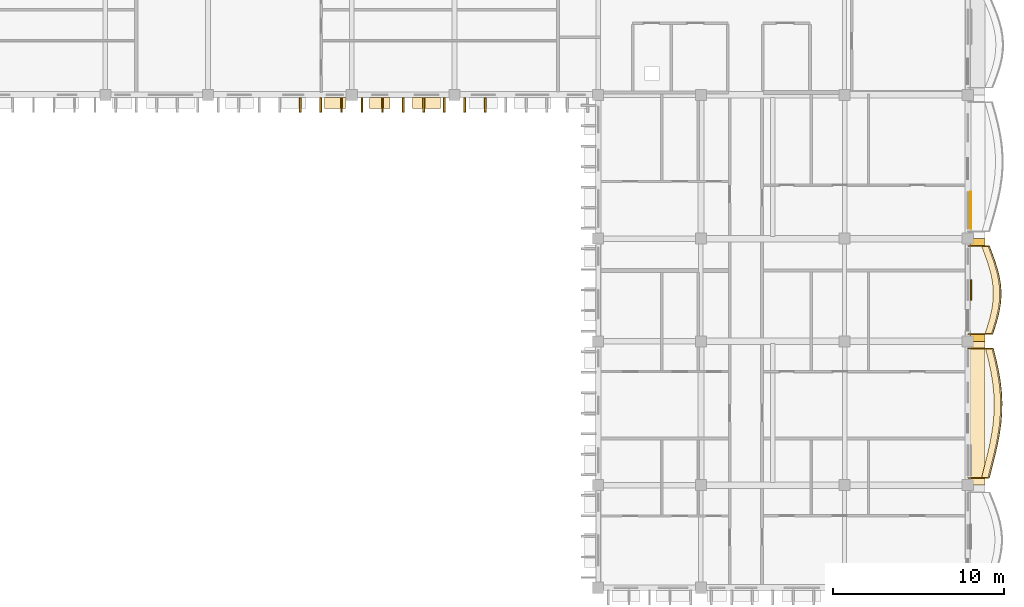
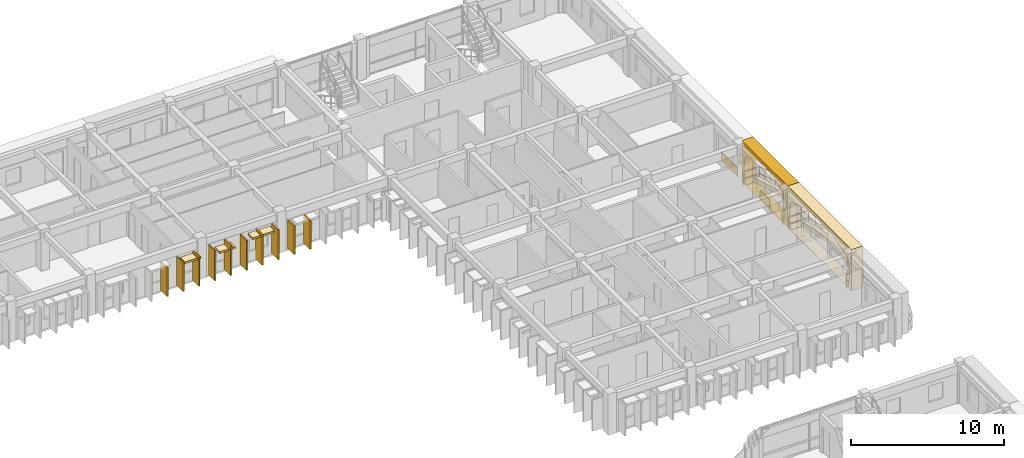
# One storey, part 66 of 70: 19 coverings, 2 railings.
"""IFC4 building model written with IfcOpenShell, lengths in metres."""

from ifc_helpers import new_model, si_unit, direction, frame, origin, origin_2d, place, context, subcontext, project, spatial, polyline, rectangle, outline, extrude, material, layer, layer_set, type_object, element, save


model = new_model("IFC4")

# Units and contexts
model_context = context("Model", 3, precision=1e-05, world=origin(), true_north=direction((0.0, 1.0)))
body_context = subcontext(model_context, "Body", "Model", "MODEL_VIEW")
ifc_project = project(units=[si_unit("LENGTHUNIT", "METRE"), si_unit("AREAUNIT", "SQUARE_METRE"), si_unit("VOLUMEUNIT", "CUBIC_METRE"), si_unit("PLANEANGLEUNIT", "RADIAN"), si_unit("MASSUNIT", "GRAM", prefix="KILO"), si_unit("THERMODYNAMICTEMPERATUREUNIT", "KELVIN")], contexts=[model_context])

# Site, building, storey
site_placement = place(None, origin())
site = spatial("IfcSite", under=ifc_project, at=site_placement, CompositionType="ELEMENT")
building_placement = place(site_placement, origin())
building = spatial("IfcBuilding", under=site, at=building_placement, Name="Thalorik Housing Commons", CompositionType="ELEMENT")
storey_placement = place(building_placement, frame((0.0, 0.0, 14.699951171875)))
storey = spatial("IfcBuildingStorey", under=building, at=storey_placement, Name="L04", CompositionType="ELEMENT", Elevation=14.699951171875)

# Coverings
ifc_material_1 = material(Name="Precast concrete C40/50", Category="concrete")
ifc_layer_1 = layer(ifc_material_1, 0.85009765625, Name="Precast concrete C40/50", Category="concrete")
ifc_layer_set_1 = layer_set([ifc_layer_1], Name="Precast concrete C40/50")
covering_type_1 = type_object("IfcCoveringType", Name="ARC-CLD-CUSH-850", PredefinedType="CLADDING", material=ifc_layer_set_1)
covering_1_placement = place(storey_placement, frame((174.577392578125, 90.60009765625, 0.0), z_axis=(0.0, 0.0, 1.0), x_axis=(0.0, 1.0, 0.0)))
element("IfcCovering", 1, at=covering_1_placement, inside=storey, type_object=covering_type_1, Name="L04 White Precast Curved Cushion Bay Frame 2196", PredefinedType="CLADDING", context=body_context, shape_type="SweptSolid", body=[
    extrude(outline(polyline([(-4.199951171875, 0.0), (4.199951171875, 0.0), (4.199951171875, 3.300048828125), (-4.199951171875, 3.300048828125), (-4.199951171875, 0.0)]), holes=[polyline([(3.771728515625, 0.02490234375), (3.8623046875, 0.40087890625), (3.91650390625, 0.776611328125), (3.9345703125, 1.152587890625), (3.91650390625, 1.5283203125), (3.8623046875, 1.904296875), (3.771728515625, 2.280029296875), (3.148681640625, 2.51123046875), (2.525634765625, 2.693115234375), (1.902587890625, 2.840087890625), (1.279541015625, 2.94970703125), (0.656494140625, 3.01708984375), (0.033447265625, 3.0400390625), (-0.589599609375, 3.01708984375), (-1.212646484375, 2.94970703125), (-1.835693359375, 2.840087890625), (-2.458984375, 2.693115234375), (-3.081787109375, 2.51123046875), (-3.705078125, 2.280029296875), (-3.8095703125, 1.904296875), (-3.872314453125, 1.5283203125), (-3.89306640625, 1.152587890625), (-3.872314453125, 0.776611328125), (-3.8095703125, 0.40087890625), (-3.705078125, 0.02490234375), (3.771728515625, 0.02490234375)])]), frame((0.0, 0.425048828125, 0.0), z_axis=(0.0, -1.0, 0.0), x_axis=(1.0, 0.0, 0.0)), (0.0, 0.0, 1.0), 0.85009765625),
])
covering_2_placement = place(storey_placement, frame((174.577392578125, 97.800048828125, 0.0), z_axis=(0.0, 0.0, 1.0), x_axis=(0.0, 1.0, 0.0)))
element("IfcCovering", 2, at=covering_2_placement, inside=storey, type_object=covering_type_1, Name="L04 White Precast Curved Cushion Bay Frame 2198", PredefinedType="CLADDING", context=body_context, shape_type="SweptSolid", body=[
    extrude(outline(polyline([(-3.0, 0.0), (3.0, 0.0), (3.0, 3.300048828125), (-3.0, 3.300048828125), (-3.0, 0.0)]), holes=[polyline([(2.5, 0.02490234375), (2.605712890625, 0.407470703125), (2.6689453125, 0.7900390625), (2.68994140625, 1.172607421875), (2.6689453125, 1.554931640625), (2.605712890625, 1.9375), (2.5, 2.320068359375), (2.089111328125, 2.539306640625), (1.67822265625, 2.711181640625), (1.267578125, 2.8505859375), (0.856689453125, 2.954345703125), (0.44580078125, 3.018310546875), (0.034912109375, 3.0400390625), (-0.375732421875, 3.018310546875), (-0.78662109375, 2.954345703125), (-1.197509765625, 2.8505859375), (-1.6083984375, 2.711181640625), (-2.019287109375, 2.539306640625), (-2.429931640625, 2.320068359375), (-2.55029296875, 1.9375), (-2.62255859375, 1.554931640625), (-2.646484375, 1.172607421875), (-2.62255859375, 0.7900390625), (-2.55029296875, 0.407470703125), (-2.429931640625, 0.02490234375), (2.5, 0.02490234375)])]), frame((0.0, 0.425048828125, 0.0), z_axis=(0.0, -1.0, 0.0), x_axis=(1.0, 0.0, 0.0)), (0.0, 0.0, 1.0), 0.85009765625),
])
ifc_layer_2 = layer(ifc_material_1, 0.85009765625, Name="Precast concrete C40/50", Category="concrete")
ifc_layer_set_2 = layer_set([ifc_layer_2], Name="Precast concrete C40/50")
covering_type_2 = type_object("IfcCoveringType", Name="ARC-CLD-FIN-850", PredefinedType="CLADDING", material=ifc_layer_set_2)
for number, where, z_axis, x_axis, name in (
    (3, (135.0, 108.62255859375, 0.0400390625), (0.0, 0.0, 1.0), (1.0, 0.0, 0.0), "L04 Courtyard Precast Vertical Brise-Soleil Fin 2112"),
    (4, (136.199951171875, 108.62255859375, 0.0400390625), (0.0, 0.0, 1.0), (1.0, 0.0, 0.0), "L04 Courtyard Precast Vertical Brise-Soleil Fin 2113"),
    (5, (137.39990234375, 108.62255859375, 0.0400390625), (0.0, 0.0, 1.0), (1.0, 0.0, 0.0), "L04 Courtyard Precast Vertical Brise-Soleil Fin 2114"),
):
    element("IfcCovering", number, at=place(storey_placement, frame(where, z_axis=z_axis, x_axis=x_axis)), inside=storey, type_object=covering_type_2, Name=name, PredefinedType="CLADDING", context=body_context, shape_type="SweptSolid", body=[
        extrude(rectangle(XDim=0.110107421875, YDim=0.85009765625, at=origin_2d()), origin(), (0.0, 0.0, 1.0), 2.294921875),
    ])
for number, where, z_axis, x_axis, name in (
    (6, (138.60009765625, 108.62255859375, 0.0400390625), (0.0, 0.0, 1.0), (1.0, 0.0, 0.0), "L04 Courtyard Precast Vertical Brise-Soleil Fin 2118"),
    (7, (139.800048828125, 108.62255859375, 0.0400390625), (0.0, 0.0, 1.0), (1.0, 0.0, 0.0), "L04 Courtyard Precast Vertical Brise-Soleil Fin 2119"),
    (8, (141.0, 108.62255859375, 0.0400390625), (0.0, 0.0, 1.0), (1.0, 0.0, 0.0), "L04 Courtyard Precast Vertical Brise-Soleil Fin 2120"),
    (9, (142.199951171875, 108.62255859375, 0.0400390625), (0.0, 0.0, 1.0), (1.0, 0.0, 0.0), "L04 Courtyard Precast Vertical Brise-Soleil Fin 2121"),
    (10, (143.39990234375, 108.62255859375, 0.0400390625), (0.0, 0.0, 1.0), (1.0, 0.0, 0.0), "L04 Courtyard Precast Vertical Brise-Soleil Fin 2122"),
):
    element("IfcCovering", number, at=place(storey_placement, frame(where, z_axis=z_axis, x_axis=x_axis)), inside=storey, type_object=covering_type_2, Name=name, PredefinedType="CLADDING", context=body_context, shape_type="SweptSolid", body=[
        extrude(rectangle(XDim=0.110107421875, YDim=0.85009765625, at=origin_2d()), origin(), (0.0, 0.0, 1.0), 2.39501953125),
    ])
for number, where, z_axis, x_axis, name in (
    (11, (144.60009765625, 108.62255859375, 0.0400390625), (0.0, 0.0, 1.0), (1.0, 0.0, 0.0), "L04 Courtyard Precast Vertical Brise-Soleil Fin 2125"),
    (12, (145.800048828125, 108.62255859375, 0.0400390625), (0.0, 0.0, 1.0), (1.0, 0.0, 0.0), "L04 Courtyard Precast Vertical Brise-Soleil Fin 2126"),
):
    element("IfcCovering", number, at=place(storey_placement, frame(where, z_axis=z_axis, x_axis=x_axis)), inside=storey, type_object=covering_type_2, Name=name, PredefinedType="CLADDING", context=body_context, shape_type="SweptSolid", body=[
        extrude(rectangle(XDim=0.110107421875, YDim=0.85009765625, at=origin_2d()), origin(), (0.0, 0.0, 1.0), 2.294921875),
    ])
ifc_layer_3 = layer(ifc_material_1, 0.64990234375, Name="Precast concrete C40/50", Category="concrete")
ifc_layer_set_3 = layer_set([ifc_layer_3], Name="Precast concrete C40/50")
covering_type_3 = type_object("IfcCoveringType", Name="ARC-CLD-HOOD-650", PredefinedType="CLADDING", material=ifc_layer_set_3)
covering_3_placement = place(storey_placement, frame((137.017578125, 108.722412109375, 2.0400390625), z_axis=(0.0, 0.0, 1.0), x_axis=(1.0, 0.0, 0.0)))
element("IfcCovering", 13, at=covering_3_placement, inside=storey, type_object=covering_type_3, Name="L04 Courtyard Precast Window Sun-Hood 2117", PredefinedType="CLADDING", context=body_context, shape_type="SweptSolid", body=[
    extrude(rectangle(XDim=1.239990234375, YDim=0.64990234375, at=origin_2d()), origin(), (0.0, 0.0, 1.0), 0.139892578125),
])
covering_4_placement = place(storey_placement, frame((139.6298828125, 108.722412109375, 1.93994140625), z_axis=(0.0, 0.0, 1.0), x_axis=(1.0, 0.0, 0.0)))
element("IfcCovering", 14, at=covering_4_placement, inside=storey, type_object=covering_type_3, Name="L04 Courtyard Precast Window Sun-Hood 2123", PredefinedType="CLADDING", context=body_context, shape_type="SweptSolid", body=[
    extrude(rectangle(XDim=1.18994140625, YDim=0.64990234375, at=origin_2d()), origin(), (0.0, 0.0, 1.0), 0.139892578125),
])
covering_5_placement = place(storey_placement, frame((142.3701171875, 108.722412109375, 2.169921875), z_axis=(0.0, 0.0, 1.0), x_axis=(1.0, 0.0, 0.0)))
element("IfcCovering", 15, at=covering_5_placement, inside=storey, type_object=covering_type_3, Name="L04 Courtyard Precast Window Sun-Hood 2124", PredefinedType="CLADDING", context=body_context, shape_type="SweptSolid", body=[
    extrude(rectangle(XDim=1.659912109375, YDim=0.64990234375, at=origin_2d()), origin(), (0.0, 0.0, 1.0), 0.139892578125),
])
ifc_material_2 = material(Name="Terracotta red mineral fibre-cement panel", Category="masonry")
ifc_layer_4 = layer(ifc_material_2, 0.054931640625, Name="Terracotta red mineral fibre-cement panel", Category="masonry")
ifc_layer_set_4 = layer_set([ifc_layer_4], Name="Terracotta red mineral fibre-cement panel")
covering_type_4 = type_object("IfcCoveringType", Name="ARC-CLD-RED-55", PredefinedType="CLADDING", material=ifc_layer_set_4)
covering_6_placement = place(storey_placement, frame((174.18505859375, 102.4609375, 0.05029296875), z_axis=(0.0, 0.0, 1.0), x_axis=(0.0, 1.0, 0.0)))
element("IfcCovering", 16, at=covering_6_placement, inside=storey, type_object=covering_type_4, Name="L04 De Stijl Recessed Window Spandrel 2201", PredefinedType="CLADDING", context=body_context, shape_type="SweptSolid", body=[
    extrude(rectangle(XDim=2.179931640625, YDim=0.054931640625, at=origin_2d()), origin(), (0.0, 0.0, 1.0), 0.699951171875),
])
ifc_material_3 = material(Name="Mineral ochre architectural terracotta panel", Category="masonry")
ifc_layer_5 = layer(ifc_material_3, 0.06494140625, Name="Mineral ochre architectural terracotta panel", Category="masonry")
ifc_layer_set_5 = layer_set([ifc_layer_5], Name="Mineral ochre architectural terracotta panel")
covering_type_5 = type_object("IfcCoveringType", Name="ARC-CLD-YEL-65", PredefinedType="CLADDING", material=ifc_layer_set_5)
covering_7_placement = place(storey_placement, frame((174.18994140625, 97.804931640625, 0.05029296875), z_axis=(0.0, 0.0, 1.0), x_axis=(0.0, 1.0, 0.0)))
element("IfcCovering", 17, at=covering_7_placement, inside=storey, type_object=covering_type_5, Name="L04 De Stijl Recessed Window Spandrel 2199", PredefinedType="CLADDING", context=body_context, shape_type="SweptSolid", body=[
    extrude(rectangle(XDim=1.199951171875, YDim=0.06494140625, at=origin_2d()), origin(), (0.0, 0.0, 1.0), 0.699951171875),
])
ifc_material_4 = material(Name="Planted vegetated substrate and terracotta trough", Category="masonry")
ifc_layer_6 = layer(ifc_material_4, 0.340087890625, Name="Planted vegetated substrate and terracotta trough", Category="masonry")
ifc_layer_set_6 = layer_set([ifc_layer_6], Name="Planted vegetated substrate and terracotta trough")
covering_type_6 = type_object("IfcCoveringType", Name="ARC-COV-PLANTER", PredefinedType="USERDEFINED", material=ifc_layer_set_6)
covering_8_placement = place(storey_placement, origin())
element("IfcCovering", 18, at=covering_8_placement, inside=storey, type_object=covering_type_6, Name="L04 Balcony Slab-Edge Planted Trough 5465", ObjectType="PLANTER", PredefinedType="USERDEFINED", context=body_context, shape_type="SweptSolid", body=[
    extrude(outline(polyline([(175.180419921875, 86.820068359375), (175.3408203125, 87.449951171875), (175.4990234375, 88.080078125), (175.644287109375, 88.7099609375), (175.766845703125, 89.340087890625), (175.85791015625, 89.969970703125), (175.910888671875, 90.60009765625), (175.92236328125, 91.22998046875), (175.89111328125, 91.860107421875), (175.819091796875, 92.489990234375), (175.7109375, 93.1201171875), (175.57421875, 93.75), (175.41748046875, 94.3798828125), (175.03759765625, 94.3798828125), (175.194091796875, 93.75), (175.3310546875, 93.1201171875), (175.439208984375, 92.489990234375), (175.51123046875, 91.860107421875), (175.54248046875, 91.22998046875), (175.531005859375, 90.60009765625), (175.477783203125, 89.969970703125), (175.38671875, 89.340087890625), (175.264404296875, 88.7099609375), (175.118896484375, 88.080078125), (174.960693359375, 87.449951171875), (174.80029296875, 86.820068359375), (175.180419921875, 86.820068359375)])), origin(), (0.0, 0.0, 1.0), 0.340087890625),
])
covering_9_placement = place(storey_placement, origin())
element("IfcCovering", 19, at=covering_9_placement, inside=storey, type_object=covering_type_6, Name="L04 Balcony Slab-Edge Planted Trough 5466", ObjectType="PLANTER", PredefinedType="USERDEFINED", context=body_context, shape_type="SweptSolid", body=[
    extrude(outline(polyline([(175.378662109375, 95.219970703125), (175.51904296875, 95.64990234375), (175.646728515625, 96.080078125), (175.751953125, 96.510009765625), (175.826904296875, 96.93994140625), (175.865966796875, 97.3701171875), (175.865478515625, 97.800048828125), (175.824951171875, 98.22998046875), (175.746337890625, 98.659912109375), (175.634521484375, 99.090087890625), (175.49658203125, 99.52001953125), (175.341796875, 99.949951171875), (175.18017578125, 100.3798828125), (174.80029296875, 100.3798828125), (174.9619140625, 99.949951171875), (175.11669921875, 99.52001953125), (175.254638671875, 99.090087890625), (175.3662109375, 98.659912109375), (175.44482421875, 98.22998046875), (175.485595703125, 97.800048828125), (175.48583984375, 97.3701171875), (175.447021484375, 96.93994140625), (175.371826171875, 96.510009765625), (175.2666015625, 96.080078125), (175.13916015625, 95.64990234375), (174.99853515625, 95.219970703125), (175.378662109375, 95.219970703125)])), origin(), (0.0, 0.0, 1.0), 0.340087890625),
])

# Railings
ifc_material_5 = material(Name="Steel S355", Category="steel")
railing_type_1 = type_object("IfcRailingType", Name="ARC-RL-BAL-112", PredefinedType="BALUSTRADE", material=ifc_material_5)
railing_1_placement = place(storey_placement, frame((174.0, 95.219970703125, 0.0)))
element("IfcRailing", 20, at=railing_1_placement, inside=storey, type_object=railing_type_1, Name="L04 Cushion Balcony Guardrail 150", PredefinedType="BALUSTRADE", context=body_context, shape_type="SweptSolid", body=[
    extrude(rectangle(XDim=0.050048828125, YDim=0.050048828125, at=origin_2d()), frame((0.0, 0.0, 1.09521484375), z_axis=(1.0, 0.0, 0.0), x_axis=(0.0, 1.0, 0.0)), (0.0, 0.0, 1.0), 1.448486328125),
    extrude(rectangle(XDim=0.050048828125, YDim=0.050048828125, at=origin_2d()), frame((0.0, 0.0, 0.53515625), z_axis=(1.0, 0.0, 0.0), x_axis=(0.0, 1.0, 0.0)), (0.0, 0.0, 1.0), 1.448486328125),
    extrude(rectangle(XDim=0.050048828125, YDim=0.050048828125, at=origin_2d()), frame((1.448486328125, 0.0, 1.09521484375), z_axis=(0.310879508658, 0.950449331157, 0.0), x_axis=(-0.950449331157, 0.310879508658, 0.0)), (0.0, 0.0, 1.0), 0.452392578125),
    extrude(rectangle(XDim=0.050048828125, YDim=0.050048828125, at=origin_2d()), frame((1.448486328125, 0.0, 0.53515625), z_axis=(0.310879508658, 0.950449331157, 0.0), x_axis=(-0.950449331157, 0.310879508658, 0.0)), (0.0, 0.0, 1.0), 0.452392578125),
    extrude(rectangle(XDim=0.050048828125, YDim=0.050048828125, at=origin_2d()), frame((1.589111328125, 0.429931640625, 1.09521484375), z_axis=(0.284551412399, 0.958660781352, 0.0), x_axis=(-0.958660781352, 0.284551412399, 0.0)), (0.0, 0.0, 1.0), 0.44873046875),
    extrude(rectangle(XDim=0.050048828125, YDim=0.050048828125, at=origin_2d()), frame((1.589111328125, 0.429931640625, 0.53515625), z_axis=(0.284551412399, 0.958660781352, 0.0), x_axis=(-0.958660781352, 0.284551412399, 0.0)), (0.0, 0.0, 1.0), 0.44873046875),
    extrude(rectangle(XDim=0.050048828125, YDim=0.050048828125, at=origin_2d()), frame((1.716796875, 0.860107421875, 1.09521484375), z_axis=(0.237730669609, 0.971331111788, 0.0), x_axis=(-0.971331111788, 0.237730669609, 0.0)), (0.0, 0.0, 1.0), 0.442626953125),
    extrude(rectangle(XDim=0.050048828125, YDim=0.050048828125, at=origin_2d()), frame((1.716796875, 0.860107421875, 0.53515625), z_axis=(0.237730669609, 0.971331111788, 0.0), x_axis=(-0.971331111788, 0.237730669609, 0.0)), (0.0, 0.0, 1.0), 0.442626953125),
    extrude(rectangle(XDim=0.050048828125, YDim=0.050048828125, at=origin_2d()), frame((1.822021484375, 1.2900390625, 1.09521484375), z_axis=(0.171742507217, 0.985141873648, 0.0), x_axis=(-0.985141873648, 0.171742507217, 0.0)), (0.0, 0.0, 1.0), 0.4365234375),
    extrude(rectangle(XDim=0.050048828125, YDim=0.050048828125, at=origin_2d()), frame((1.822021484375, 1.2900390625, 0.53515625), z_axis=(0.171742507217, 0.985141873648, 0.0), x_axis=(-0.985141873648, 0.171742507217, 0.0)), (0.0, 0.0, 1.0), 0.4365234375),
    extrude(rectangle(XDim=0.050048828125, YDim=0.050048828125, at=origin_2d()), frame((1.89697265625, 1.719970703125, 1.09521484375), z_axis=(0.089873190374, 0.995953216598, 0.0), x_axis=(-0.995953216598, 0.089873190374, 0.0)), (0.0, 0.0, 1.0), 0.431884765625),
    extrude(rectangle(XDim=0.050048828125, YDim=0.050048828125, at=origin_2d()), frame((1.89697265625, 1.719970703125, 0.53515625), z_axis=(0.089873190374, 0.995953216598, 0.0), x_axis=(-0.995953216598, 0.089873190374, 0.0)), (0.0, 0.0, 1.0), 0.431884765625),
    extrude(rectangle(XDim=0.050048828125, YDim=0.050048828125, at=origin_2d()), frame((1.935791015625, 2.150146484375, 1.09521484375), z_axis=(-0.000567859079, 0.999999838768, 0.0), x_axis=(-0.999999838768, -0.000567859079, 0.0)), (0.0, 0.0, 1.0), 0.429931640625),
    extrude(rectangle(XDim=0.050048828125, YDim=0.050048828125, at=origin_2d()), frame((1.935791015625, 2.150146484375, 0.53515625), z_axis=(-0.000567859079, 0.999999838768, 0.0), x_axis=(-0.999999838768, -0.000567859079, 0.0)), (0.0, 0.0, 1.0), 0.429931640625),
    extrude(rectangle(XDim=0.050048828125, YDim=0.050048828125, at=origin_2d()), frame((1.935546875, 2.580078125, 1.09521484375), z_axis=(-0.093848583775, 0.995586482092, 0.0), x_axis=(-0.995586482092, -0.093848583775, 0.0)), (0.0, 0.0, 1.0), 0.431884765625),
    extrude(rectangle(XDim=0.050048828125, YDim=0.050048828125, at=origin_2d()), frame((1.935546875, 2.580078125, 0.53515625), z_axis=(-0.093848583775, 0.995586482092, 0.0), x_axis=(-0.995586482092, -0.093848583775, 0.0)), (0.0, 0.0, 1.0), 0.431884765625),
    extrude(rectangle(XDim=0.050048828125, YDim=0.050048828125, at=origin_2d()), frame((1.89501953125, 3.010009765625, 1.09521484375), z_axis=(-0.179868480961, 0.983690667617, 0.0), x_axis=(-0.983690667617, -0.179868480961, 0.0)), (0.0, 0.0, 1.0), 0.43701171875),
    extrude(rectangle(XDim=0.050048828125, YDim=0.050048828125, at=origin_2d()), frame((1.89501953125, 3.010009765625, 0.53515625), z_axis=(-0.179868480961, 0.983690667617, 0.0), x_axis=(-0.983690667617, -0.179868480961, 0.0)), (0.0, 0.0, 1.0), 0.43701171875),
    extrude(rectangle(XDim=0.050048828125, YDim=0.050048828125, at=origin_2d()), frame((1.81640625, 3.43994140625, 1.09521484375), z_axis=(-0.251572110816, 0.967838557332, 0.0), x_axis=(-0.967838557332, -0.251572110816, 0.0)), (0.0, 0.0, 1.0), 0.444580078125),
    extrude(rectangle(XDim=0.050048828125, YDim=0.050048828125, at=origin_2d()), frame((1.81640625, 3.43994140625, 0.53515625), z_axis=(-0.251572110816, 0.967838557332, 0.0), x_axis=(-0.967838557332, -0.251572110816, 0.0)), (0.0, 0.0, 1.0), 0.444580078125),
    extrude(rectangle(XDim=0.050048828125, YDim=0.050048828125, at=origin_2d()), frame((1.70458984375, 3.8701171875, 1.09521484375), z_axis=(-0.305501556453, 0.95219157684, 0.0), x_axis=(-0.95219157684, -0.305501556453, 0.0)), (0.0, 0.0, 1.0), 0.451416015625),
    extrude(rectangle(XDim=0.050048828125, YDim=0.050048828125, at=origin_2d()), frame((1.70458984375, 3.8701171875, 0.53515625), z_axis=(-0.305501556453, 0.95219157684, 0.0), x_axis=(-0.95219157684, -0.305501556453, 0.0)), (0.0, 0.0, 1.0), 0.451416015625),
    extrude(rectangle(XDim=0.050048828125, YDim=0.050048828125, at=origin_2d()), frame((1.566650390625, 4.300048828125, 1.09521484375), z_axis=(-0.33873838774, 0.940880600646, 0.0), x_axis=(-0.940880600646, -0.33873838774, 0.0)), (0.0, 0.0, 1.0), 0.45703125),
    extrude(rectangle(XDim=0.050048828125, YDim=0.050048828125, at=origin_2d()), frame((1.566650390625, 4.300048828125, 0.53515625), z_axis=(-0.33873838774, 0.940880600646, 0.0), x_axis=(-0.940880600646, -0.33873838774, 0.0)), (0.0, 0.0, 1.0), 0.45703125),
    extrude(rectangle(XDim=0.050048828125, YDim=0.050048828125, at=origin_2d()), frame((1.411865234375, 4.72998046875, 1.09521484375), z_axis=(-0.351880591613, 0.936044897025, 0.0), x_axis=(-0.936044897025, -0.351880591613, 0.0)), (0.0, 0.0, 1.0), 0.459228515625),
    extrude(rectangle(XDim=0.050048828125, YDim=0.050048828125, at=origin_2d()), frame((1.411865234375, 4.72998046875, 0.53515625), z_axis=(-0.351880591613, 0.936044897025, 0.0), x_axis=(-0.936044897025, -0.351880591613, 0.0)), (0.0, 0.0, 1.0), 0.459228515625),
    extrude(rectangle(XDim=0.050048828125, YDim=0.050048828125, at=origin_2d()), frame((1.250244140625, 5.159912109375, 1.09521484375), z_axis=(-1.0, 0.0, 0.0), x_axis=(0.0, -1.0, 0.0)), (0.0, 0.0, 1.0), 1.250244140625),
    extrude(rectangle(XDim=0.050048828125, YDim=0.050048828125, at=origin_2d()), frame((1.250244140625, 5.159912109375, 0.53515625), z_axis=(-1.0, 0.0, 0.0), x_axis=(0.0, -1.0, 0.0)), (0.0, 0.0, 1.0), 1.250244140625),
    extrude(rectangle(XDim=0.0419921875, YDim=0.0419921875, at=origin_2d()), origin(), (0.0, 0.0, 1.0), 1.070068359375),
    extrude(rectangle(XDim=0.0419921875, YDim=0.0419921875, at=origin_2d()), frame((1.448486328125, 0.0, 0.0)), (0.0, 0.0, 1.0), 1.070068359375),
    extrude(rectangle(XDim=0.0419921875, YDim=0.0419921875, at=origin_2d()), frame((1.589111328125, 0.429931640625, 0.0)), (0.0, 0.0, 1.0), 1.070068359375),
    extrude(rectangle(XDim=0.0419921875, YDim=0.0419921875, at=origin_2d()), frame((1.716796875, 0.860107421875, 0.0)), (0.0, 0.0, 1.0), 1.070068359375),
    extrude(rectangle(XDim=0.0419921875, YDim=0.0419921875, at=origin_2d()), frame((1.822021484375, 1.2900390625, 0.0)), (0.0, 0.0, 1.0), 1.070068359375),
    extrude(rectangle(XDim=0.0419921875, YDim=0.0419921875, at=origin_2d()), frame((1.89697265625, 1.719970703125, 0.0)), (0.0, 0.0, 1.0), 1.070068359375),
    extrude(rectangle(XDim=0.0419921875, YDim=0.0419921875, at=origin_2d()), frame((1.935791015625, 2.150146484375, 0.0)), (0.0, 0.0, 1.0), 1.070068359375),
    extrude(rectangle(XDim=0.0419921875, YDim=0.0419921875, at=origin_2d()), frame((1.935546875, 2.580078125, 0.0)), (0.0, 0.0, 1.0), 1.070068359375),
    extrude(rectangle(XDim=0.0419921875, YDim=0.0419921875, at=origin_2d()), frame((1.89501953125, 3.010009765625, 0.0)), (0.0, 0.0, 1.0), 1.070068359375),
    extrude(rectangle(XDim=0.0419921875, YDim=0.0419921875, at=origin_2d()), frame((1.81640625, 3.43994140625, 0.0)), (0.0, 0.0, 1.0), 1.070068359375),
    extrude(rectangle(XDim=0.0419921875, YDim=0.0419921875, at=origin_2d()), frame((1.70458984375, 3.8701171875, 0.0)), (0.0, 0.0, 1.0), 1.070068359375),
    extrude(rectangle(XDim=0.0419921875, YDim=0.0419921875, at=origin_2d()), frame((1.566650390625, 4.300048828125, 0.0)), (0.0, 0.0, 1.0), 1.070068359375),
    extrude(rectangle(XDim=0.0419921875, YDim=0.0419921875, at=origin_2d()), frame((1.411865234375, 4.72998046875, 0.0)), (0.0, 0.0, 1.0), 1.070068359375),
    extrude(rectangle(XDim=0.0419921875, YDim=0.0419921875, at=origin_2d()), frame((1.250244140625, 5.159912109375, 0.0)), (0.0, 0.0, 1.0), 1.070068359375),
    extrude(rectangle(XDim=0.0419921875, YDim=0.0419921875, at=origin_2d()), frame((0.0, 5.159912109375, 0.0)), (0.0, 0.0, 1.0), 1.070068359375),
])
railing_type_2 = type_object("IfcRailingType", Name="ARC-RL-BAL-115", PredefinedType="BALUSTRADE", material=ifc_material_5)
railing_2_placement = place(storey_placement, frame((174.0, 86.820068359375, 0.0)))
element("IfcRailing", 21, at=railing_2_placement, inside=storey, type_object=railing_type_2, Name="L04 Cushion Balcony Guardrail 149", PredefinedType="BALUSTRADE", context=body_context, shape_type="SweptSolid", body=[
    extrude(rectangle(XDim=0.050048828125, YDim=0.050048828125, at=origin_2d()), frame((0.0, 0.0, 1.125), z_axis=(1.0, 0.0, 0.0), x_axis=(0.0, 1.0, 0.0)), (0.0, 0.0, 1.0), 1.25048828125),
    extrude(rectangle(XDim=0.050048828125, YDim=0.050048828125, at=origin_2d()), frame((0.0, 0.0, 0.5498046875), z_axis=(1.0, 0.0, 0.0), x_axis=(0.0, 1.0, 0.0)), (0.0, 0.0, 1.0), 1.25048828125),
    extrude(rectangle(XDim=0.050048828125, YDim=0.050048828125, at=origin_2d()), frame((1.25048828125, 0.0, 1.125), z_axis=(0.246422700244, 0.96916244913, 0.0), x_axis=(-0.96916244913, 0.246422700244, 0.0)), (0.0, 0.0, 1.0), 0.64990234375),
    extrude(rectangle(XDim=0.050048828125, YDim=0.050048828125, at=origin_2d()), frame((1.25048828125, 0.0, 0.5498046875), z_axis=(0.246422700244, 0.96916244913, 0.0), x_axis=(-0.96916244913, 0.246422700244, 0.0)), (0.0, 0.0, 1.0), 0.64990234375),
    extrude(rectangle(XDim=0.050048828125, YDim=0.050048828125, at=origin_2d()), frame((1.41064453125, 0.6298828125, 1.125), z_axis=(0.243861573941, 0.969810049832, 0.0), x_axis=(-0.969810049832, 0.243861573941, 0.0)), (0.0, 0.0, 1.0), 0.649658203125),
    extrude(rectangle(XDim=0.050048828125, YDim=0.050048828125, at=origin_2d()), frame((1.41064453125, 0.6298828125, 0.5498046875), z_axis=(0.243861573941, 0.969810049832, 0.0), x_axis=(-0.969810049832, 0.243861573941, 0.0)), (0.0, 0.0, 1.0), 0.649658203125),
    extrude(rectangle(XDim=0.050048828125, YDim=0.050048828125, at=origin_2d()), frame((1.569091796875, 1.260009765625, 1.125), z_axis=(0.224721586373, 0.974423013182, 0.0), x_axis=(-0.974423013182, 0.224721586373, 0.0)), (0.0, 0.0, 1.0), 0.646484375),
    extrude(rectangle(XDim=0.050048828125, YDim=0.050048828125, at=origin_2d()), frame((1.569091796875, 1.260009765625, 0.5498046875), z_axis=(0.224721586373, 0.974423013182, 0.0), x_axis=(-0.974423013182, 0.224721586373, 0.0)), (0.0, 0.0, 1.0), 0.646484375),
    extrude(rectangle(XDim=0.050048828125, YDim=0.050048828125, at=origin_2d()), frame((1.71435546875, 1.889892578125, 1.125), z_axis=(0.190920556667, 0.98160549155, 0.0), x_axis=(-0.98160549155, 0.190920556667, 0.0)), (0.0, 0.0, 1.0), 0.641845703125),
    extrude(rectangle(XDim=0.050048828125, YDim=0.050048828125, at=origin_2d()), frame((1.71435546875, 1.889892578125, 0.5498046875), z_axis=(0.190920556667, 0.98160549155, 0.0), x_axis=(-0.98160549155, 0.190920556667, 0.0)), (0.0, 0.0, 1.0), 0.641845703125),
    extrude(rectangle(XDim=0.050048828125, YDim=0.050048828125, at=origin_2d()), frame((1.8369140625, 2.52001953125, 1.125), z_axis=(0.142710231997, 0.989764512237, 0.0), x_axis=(-0.989764512237, 0.142710231997, 0.0)), (0.0, 0.0, 1.0), 0.636474609375),
    extrude(rectangle(XDim=0.050048828125, YDim=0.050048828125, at=origin_2d()), frame((1.8369140625, 2.52001953125, 0.5498046875), z_axis=(0.142710231997, 0.989764512237, 0.0), x_axis=(-0.989764512237, 0.142710231997, 0.0)), (0.0, 0.0, 1.0), 0.636474609375),
    extrude(rectangle(XDim=0.050048828125, YDim=0.050048828125, at=origin_2d()), frame((1.927734375, 3.14990234375, 1.125), z_axis=(0.084163705207, 0.996451941002, 0.0), x_axis=(-0.996451941002, 0.084163705207, 0.0)), (0.0, 0.0, 1.0), 0.63232421875),
    extrude(rectangle(XDim=0.050048828125, YDim=0.050048828125, at=origin_2d()), frame((1.927734375, 3.14990234375, 0.5498046875), z_axis=(0.084163705207, 0.996451941002, 0.0), x_axis=(-0.996451941002, 0.084163705207, 0.0)), (0.0, 0.0, 1.0), 0.63232421875),
    extrude(rectangle(XDim=0.050048828125, YDim=0.050048828125, at=origin_2d()), frame((1.98095703125, 3.780029296875, 1.125), z_axis=(0.01821403225, 0.999834110755, 0.0), x_axis=(-0.999834110755, 0.01821403225, 0.0)), (0.0, 0.0, 1.0), 0.6298828125),
    extrude(rectangle(XDim=0.050048828125, YDim=0.050048828125, at=origin_2d()), frame((1.98095703125, 3.780029296875, 0.5498046875), z_axis=(0.01821403225, 0.999834110755, 0.0), x_axis=(-0.999834110755, 0.01821403225, 0.0)), (0.0, 0.0, 1.0), 0.6298828125),
    extrude(rectangle(XDim=0.050048828125, YDim=0.050048828125, at=origin_2d()), frame((1.992431640625, 4.409912109375, 1.125), z_axis=(-0.049532306397, 0.99877252196, 0.0), x_axis=(-0.99877252196, -0.049532306397, 0.0)), (0.0, 0.0, 1.0), 0.630859375),
    extrude(rectangle(XDim=0.050048828125, YDim=0.050048828125, at=origin_2d()), frame((1.992431640625, 4.409912109375, 0.5498046875), z_axis=(-0.049532306397, 0.99877252196, 0.0), x_axis=(-0.99877252196, -0.049532306397, 0.0)), (0.0, 0.0, 1.0), 0.630859375),
    extrude(rectangle(XDim=0.050048828125, YDim=0.050048828125, at=origin_2d()), frame((1.961181640625, 5.0400390625, 1.125), z_axis=(-0.113600894263, 0.993526465084, 0.0), x_axis=(-0.993526465084, -0.113600894263, 0.0)), (0.0, 0.0, 1.0), 0.634033203125),
    extrude(rectangle(XDim=0.050048828125, YDim=0.050048828125, at=origin_2d()), frame((1.961181640625, 5.0400390625, 0.5498046875), z_axis=(-0.113600894263, 0.993526465084, 0.0), x_axis=(-0.993526465084, -0.113600894263, 0.0)), (0.0, 0.0, 1.0), 0.634033203125),
    extrude(rectangle(XDim=0.050048828125, YDim=0.050048828125, at=origin_2d()), frame((1.88916015625, 5.669921875, 1.125), z_axis=(-0.169165190424, 0.985587712154, 0.0), x_axis=(-0.985587712154, -0.169165190424, 0.0)), (0.0, 0.0, 1.0), 0.639404296875),
    extrude(rectangle(XDim=0.050048828125, YDim=0.050048828125, at=origin_2d()), frame((1.88916015625, 5.669921875, 0.5498046875), z_axis=(-0.169165190424, 0.985587712154, 0.0), x_axis=(-0.985587712154, -0.169165190424, 0.0)), (0.0, 0.0, 1.0), 0.639404296875),
    extrude(rectangle(XDim=0.050048828125, YDim=0.050048828125, at=origin_2d()), frame((1.781005859375, 6.300048828125, 1.125), z_axis=(-0.212476816488, 0.977166107914, 0.0), x_axis=(-0.977166107914, -0.212476816488, 0.0)), (0.0, 0.0, 1.0), 0.64453125),
    extrude(rectangle(XDim=0.050048828125, YDim=0.050048828125, at=origin_2d()), frame((1.781005859375, 6.300048828125, 0.5498046875), z_axis=(-0.212476816488, 0.977166107914, 0.0), x_axis=(-0.977166107914, -0.212476816488, 0.0)), (0.0, 0.0, 1.0), 0.64453125),
    extrude(rectangle(XDim=0.050048828125, YDim=0.050048828125, at=origin_2d()), frame((1.64404296875, 6.929931640625, 1.125), z_axis=(-0.241119230936, 0.970495500491, 0.0), x_axis=(-0.970495500491, -0.241119230936, 0.0)), (0.0, 0.0, 1.0), 0.64892578125),
    extrude(rectangle(XDim=0.050048828125, YDim=0.050048828125, at=origin_2d()), frame((1.64404296875, 6.929931640625, 0.5498046875), z_axis=(-0.241119230936, 0.970495500491, 0.0), x_axis=(-0.970495500491, -0.241119230936, 0.0)), (0.0, 0.0, 1.0), 0.64892578125),
    extrude(rectangle(XDim=0.050048828125, YDim=0.050048828125, at=origin_2d()), frame((1.487548828125, 7.559814453125, 1.125), z_axis=(-1.0, 0.0, 0.0), x_axis=(0.0, -1.0, 0.0)), (0.0, 0.0, 1.0), 1.487548828125),
    extrude(rectangle(XDim=0.050048828125, YDim=0.050048828125, at=origin_2d()), frame((1.487548828125, 7.559814453125, 0.5498046875), z_axis=(-1.0, 0.0, 0.0), x_axis=(0.0, -1.0, 0.0)), (0.0, 0.0, 1.0), 1.487548828125),
    extrude(rectangle(XDim=0.0419921875, YDim=0.0419921875, at=origin_2d()), origin(), (0.0, 0.0, 1.0), 1.099853515625),
    extrude(rectangle(XDim=0.0419921875, YDim=0.0419921875, at=origin_2d()), frame((1.25048828125, 0.0, 0.0)), (0.0, 0.0, 1.0), 1.099853515625),
    extrude(rectangle(XDim=0.0419921875, YDim=0.0419921875, at=origin_2d()), frame((1.41064453125, 0.6298828125, 0.0)), (0.0, 0.0, 1.0), 1.099853515625),
    extrude(rectangle(XDim=0.0419921875, YDim=0.0419921875, at=origin_2d()), frame((1.569091796875, 1.260009765625, 0.0)), (0.0, 0.0, 1.0), 1.099853515625),
    extrude(rectangle(XDim=0.0419921875, YDim=0.0419921875, at=origin_2d()), frame((1.71435546875, 1.889892578125, 0.0)), (0.0, 0.0, 1.0), 1.099853515625),
    extrude(rectangle(XDim=0.0419921875, YDim=0.0419921875, at=origin_2d()), frame((1.8369140625, 2.52001953125, 0.0)), (0.0, 0.0, 1.0), 1.099853515625),
    extrude(rectangle(XDim=0.0419921875, YDim=0.0419921875, at=origin_2d()), frame((1.927734375, 3.14990234375, 0.0)), (0.0, 0.0, 1.0), 1.099853515625),
    extrude(rectangle(XDim=0.0419921875, YDim=0.0419921875, at=origin_2d()), frame((1.98095703125, 3.780029296875, 0.0)), (0.0, 0.0, 1.0), 1.099853515625),
    extrude(rectangle(XDim=0.0419921875, YDim=0.0419921875, at=origin_2d()), frame((1.992431640625, 4.409912109375, 0.0)), (0.0, 0.0, 1.0), 1.099853515625),
    extrude(rectangle(XDim=0.0419921875, YDim=0.0419921875, at=origin_2d()), frame((1.961181640625, 5.0400390625, 0.0)), (0.0, 0.0, 1.0), 1.099853515625),
    extrude(rectangle(XDim=0.0419921875, YDim=0.0419921875, at=origin_2d()), frame((1.88916015625, 5.669921875, 0.0)), (0.0, 0.0, 1.0), 1.099853515625),
    extrude(rectangle(XDim=0.0419921875, YDim=0.0419921875, at=origin_2d()), frame((1.781005859375, 6.300048828125, 0.0)), (0.0, 0.0, 1.0), 1.099853515625),
    extrude(rectangle(XDim=0.0419921875, YDim=0.0419921875, at=origin_2d()), frame((1.64404296875, 6.929931640625, 0.0)), (0.0, 0.0, 1.0), 1.099853515625),
    extrude(rectangle(XDim=0.0419921875, YDim=0.0419921875, at=origin_2d()), frame((1.487548828125, 7.559814453125, 0.0)), (0.0, 0.0, 1.0), 1.099853515625),
    extrude(rectangle(XDim=0.0419921875, YDim=0.0419921875, at=origin_2d()), frame((0.0, 7.559814453125, 0.0)), (0.0, 0.0, 1.0), 1.099853515625),
])

save(model, "model.ifc")
